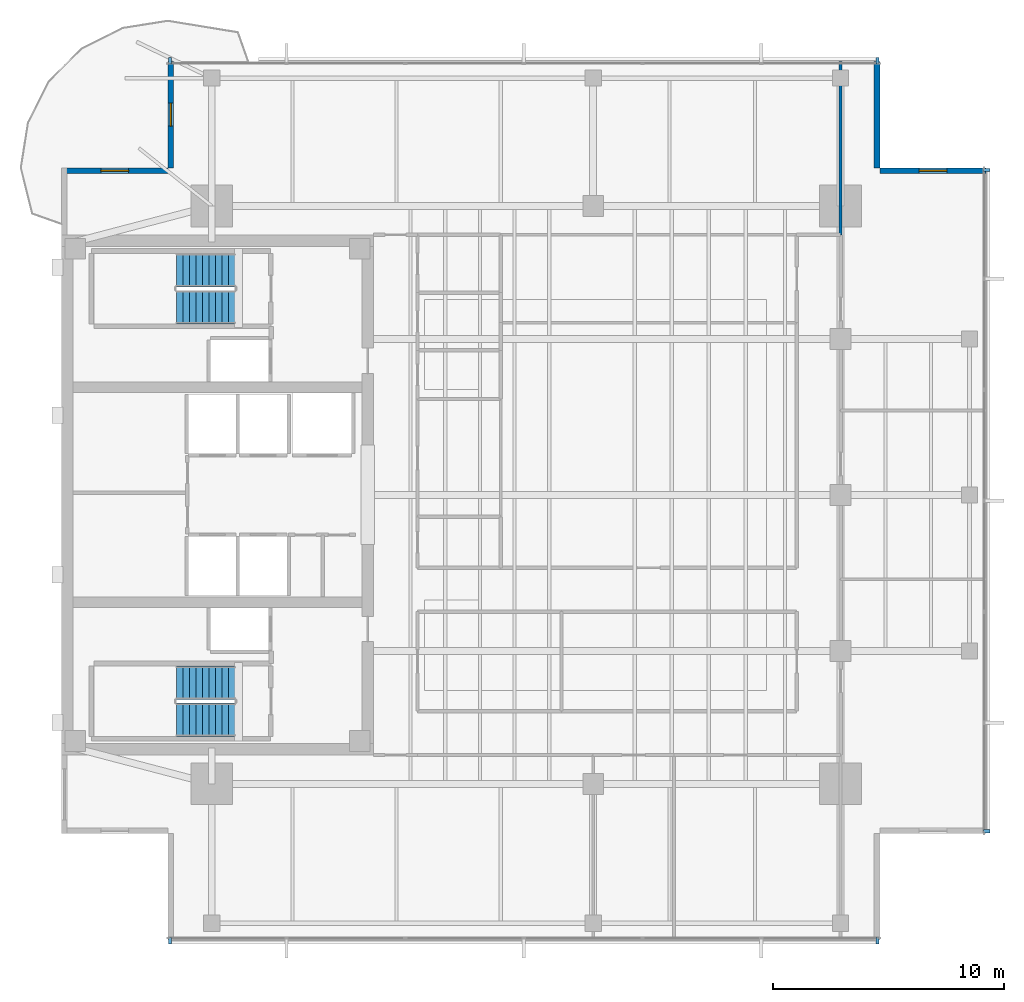
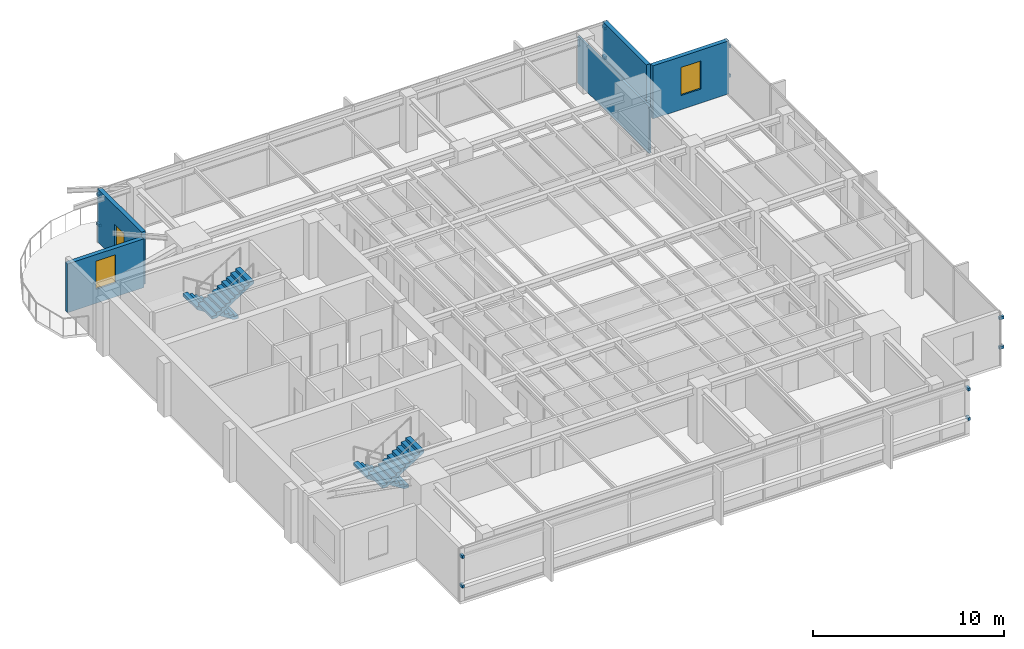
# One storey, part 10 of 14: 12 discrete accessories, 5 walls, 4 stair flights, 2 windows, 1 door, 3 openings, 2 elements without a shape of their own.
"""IFC4 building model written with IfcOpenShell, lengths in metres."""

from ifc_helpers import new_model, si_unit, direction, frame, frame_2d, origin, origin_2d, place, context, subcontext, project, spatial, polyline, rectangle, outline, extrude, material, layer, layer_set, type_object, element, fill, aggregate, save


model = new_model("IFC4")

# Units and contexts
model_context = context("Model", 3, precision=1e-05, world=origin(), true_north=direction((0.0, 1.0)))
body_context = subcontext(model_context, "Body", "Model", "MODEL_VIEW")
ifc_project = project(units=[si_unit("LENGTHUNIT", "METRE"), si_unit("AREAUNIT", "SQUARE_METRE"), si_unit("VOLUMEUNIT", "CUBIC_METRE"), si_unit("PLANEANGLEUNIT", "RADIAN"), si_unit("MASSUNIT", "GRAM", prefix="KILO")], contexts=[model_context])

# Site, building, storey
site_placement = place(None, origin())
site = spatial("IfcSite", under=ifc_project, at=site_placement, CompositionType="ELEMENT")
building_placement = place(site_placement, origin())
building = spatial("IfcBuilding", under=site, at=building_placement, Name="Kinhvarn Gate Tower", CompositionType="ELEMENT")
storey_placement = place(building_placement, frame((0.0, 0.0, 270.550048828125)))
storey = spatial("IfcBuildingStorey", under=building, at=storey_placement, Name="L72", CompositionType="ELEMENT", Elevation=270.550048828125)

# Wall, opening, window
ifc_material_1 = material(Name="Fired architectural terracotta", Category="masonry")
ifc_layer_1 = layer(ifc_material_1, 0.25)
ifc_layer_set_1 = layer_set([ifc_layer_1], Name="Fired architectural terracotta")
wall_type_1 = type_object("IfcWallType", Name="WL-EXT-250", PredefinedType="SOLIDWALL", material=ifc_layer_set_1)
wall_1_placement = place(storey_placement, frame((44.5, 39.27490234375, 0.0), z_axis=(0.0, 0.0, 1.0), x_axis=(-1.0, 0.0, 0.0)))
wall_1 = element("IfcWall", 1, at=wall_1_placement, inside=storey, type_object=wall_type_1, Name="Exterior Solidwall Wall EW-250 (L72 NE-Notch-1)", PredefinedType="SOLIDWALL", context=body_context, shape_type="SweptSolid", body=[
    extrude(rectangle(XDim=4.60009765625, YDim=0.25, at=frame_2d((2.300048828125, 0.0))), origin(), (0.0, 0.0, 1.0), 3.389892578125),
])
opening_1_placement = place(wall_1_placement, frame((1.699951171875, 0.0, 0.89990234375)))
opening_1 = element("IfcOpeningElement", 2, at=opening_1_placement, cuts=wall_1, Name="Opening WN-02", PredefinedType="OPENING", context=body_context, shape_type="SweptSolid", body=[
    extrude(rectangle(XDim=1.199951171875, YDim=1.800048828125, at=frame_2d((0.60009765625, 0.89990234375))), frame((0.0, 0.135009765625, 0.0), z_axis=(0.0, -1.0, 0.0), x_axis=(1.0, 0.0, 0.0)), (0.0, 0.0, 1.0), 0.27001953125),
])
ifc_material_2 = material(Name="Clear low-e double glazing", Category="glass")
window_type = type_object("IfcWindowType", Name="WIN-NTC-1200", PartitioningType="SINGLE_PANEL", PredefinedType="WINDOW", material=ifc_material_2)
window_1_placement = place(opening_1_placement, origin())
window_1 = element("IfcWindow", 3, at=window_1_placement, inside=storey, type_object=window_type, Name="Recessed Corner Notch Punched Window 1200x1800 mm (L72)", OverallHeight=1.800048828125, OverallWidth=1.199951171875, PartitioningType="SINGLE_PANEL", PredefinedType="WINDOW", context=body_context, shape_type="SweptSolid", body=[
    extrude(rectangle(XDim=1.199951171875, YDim=1.800048828125, at=frame_2d((0.60009765625, 0.89990234375))), frame((0.0, 0.030029296875, 0.0), z_axis=(0.0, -1.0, 0.0), x_axis=(1.0, 0.0, 0.0)), (0.0, 0.0, 1.0), 0.06005859375),
])
fill(opening_1, window_1)

# Wall
wall_2_placement = place(storey_placement, frame((39.77490234375, 39.39990234375, 0.0), z_axis=(0.0, 0.0, 1.0), x_axis=(0.0, 1.0, 0.0)))
element("IfcWall", 4, at=wall_2_placement, inside=storey, type_object=wall_type_1, Name="Exterior Solidwall Wall EW-250 (L72 NE-Notch-2)", PredefinedType="SOLIDWALL", context=body_context, shape_type="SweptSolid", body=[
    extrude(rectangle(XDim=4.60009765625, YDim=0.25, at=frame_2d((2.300048828125, 0.0))), origin(), (0.0, 0.0, 1.0), 3.389892578125),
])

# Wall, opening, door
wall_3_placement = place(storey_placement, frame((9.22509765625, 44.0, 0.0), z_axis=(0.0, 0.0, 1.0), x_axis=(0.0, -1.0, 0.0)))
wall_3 = element("IfcWall", 5, at=wall_3_placement, inside=storey, type_object=wall_type_1, Name="Exterior Solidwall Wall EW-250 (L72 NW-Notch-Door)", PredefinedType="SOLIDWALL", context=body_context, shape_type="SweptSolid", body=[
    extrude(rectangle(XDim=4.60009765625, YDim=0.25, at=frame_2d((2.300048828125, 0.0))), origin(), (0.0, 0.0, 1.0), 3.389892578125),
])
opening_2_placement = place(wall_3_placement, frame((1.800048828125, 0.0, 0.0)))
opening_2 = element("IfcOpeningElement", 6, at=opening_2_placement, cuts=wall_3, Name="Opening BD-01", PredefinedType="OPENING", context=body_context, shape_type="SweptSolid", body=[
    extrude(rectangle(XDim=1.0, YDim=2.199951171875, at=frame_2d((0.5, 1.10009765625))), frame((0.0, 0.135009765625, 0.0), z_axis=(0.0, -1.0, 0.0), x_axis=(1.0, 0.0, 0.0)), (0.0, 0.0, 1.0), 0.27001953125),
])
door_type = type_object("IfcDoorType", Name="DR-BAL-1000", OperationType="NOTDEFINED", PredefinedType="DOOR", material=ifc_material_2)
door_placement = place(opening_2_placement, frame((1.0, 0.0, 0.0), z_axis=(0.0, 0.0, 1.0), x_axis=(-1.0, 0.0, 0.0)))
door = element("IfcDoor", 7, at=door_placement, inside=storey, type_object=door_type, Name="S-Carve Balcony Door BD-01 (L72)", OperationType="SINGLE_SWING_RIGHT", OverallHeight=2.199951171875, OverallWidth=1.0, PredefinedType="DOOR", context=body_context, shape_type="SweptSolid", body=[
    extrude(rectangle(XDim=1.0, YDim=2.199951171875, at=frame_2d((0.5, 1.10009765625))), frame((0.0, 0.02490234375, 0.0), z_axis=(0.0, -1.0, 0.0), x_axis=(1.0, 0.0, 0.0)), (0.0, 0.0, 1.0), 0.050048828125),
])
fill(opening_2, door)

# Wall, opening, window
wall_4_placement = place(storey_placement, frame((9.10009765625, 39.27490234375, 0.0), z_axis=(0.0, 0.0, 1.0), x_axis=(-1.0, 0.0, 0.0)))
wall_4 = element("IfcWall", 8, at=wall_4_placement, inside=storey, type_object=wall_type_1, Name="Exterior Solidwall Wall EW-250 (L72 NW-Notch-Win)", PredefinedType="SOLIDWALL", context=body_context, shape_type="SweptSolid", body=[
    extrude(rectangle(XDim=4.60009765625, YDim=0.25, at=frame_2d((2.300048828125, 0.0))), origin(), (0.0, 0.0, 1.0), 3.119873046875),
])
opening_3_placement = place(wall_4_placement, frame((1.699951171875, 0.0, 0.89990234375)))
opening_3 = element("IfcOpeningElement", 9, at=opening_3_placement, cuts=wall_4, Name="Opening WN-02", PredefinedType="OPENING", context=body_context, shape_type="SweptSolid", body=[
    extrude(rectangle(XDim=1.199951171875, YDim=1.800048828125, at=frame_2d((0.60009765625, 0.89990234375))), frame((0.0, 0.135009765625, 0.0), z_axis=(0.0, -1.0, 0.0), x_axis=(1.0, 0.0, 0.0)), (0.0, 0.0, 1.0), 0.27001953125),
])
window_2_placement = place(opening_3_placement, origin())
window_2 = element("IfcWindow", 10, at=window_2_placement, inside=storey, type_object=window_type, Name="Recessed Corner Notch Punched Window 1200x1800 mm (L72)", OverallHeight=1.800048828125, OverallWidth=1.199951171875, PartitioningType="SINGLE_PANEL", PredefinedType="WINDOW", context=body_context, shape_type="SweptSolid", body=[
    extrude(rectangle(XDim=1.199951171875, YDim=1.800048828125, at=frame_2d((0.60009765625, 0.89990234375))), frame((0.0, 0.030029296875, 0.0), z_axis=(0.0, -1.0, 0.0), x_axis=(1.0, 0.0, 0.0)), (0.0, 0.0, 1.0), 0.06005859375),
])
fill(opening_3, window_2)

# Wall
ifc_material_3 = material(Name="Gypsum acoustic partition board")
ifc_layer_2 = layer(ifc_material_3, 0.1201171875)
ifc_layer_set_2 = layer_set([ifc_layer_2], Name="Gypsum acoustic partition board")
wall_type_2 = type_object("IfcWallType", Name="WL-PRT-120", PredefinedType="PARTITIONING", material=ifc_layer_set_2)
wall_5_placement = place(storey_placement, frame((38.199951171875, 36.5, 0.0), z_axis=(0.0, 0.0, 1.0), x_axis=(0.0, 1.0, 0.0)))
element("IfcWall", 11, at=wall_5_placement, inside=storey, type_object=wall_type_2, Name="Interior Partition PW-120 (L72)", PredefinedType="PARTITIONING", context=body_context, shape_type="SweptSolid", body=[
    extrude(rectangle(XDim=7.489990234375, YDim=0.1201171875, at=frame_2d((3.7451171875, 0.0))), origin(), (0.0, 0.0, 1.0), 2.989990234375),
])

# Stair, stair flights
ifc_material_4 = material(Name="Concrete C40/50", Category="concrete")
stair_type = type_object("IfcStairType", Name="STR-DLG-178", PredefinedType="HALF_TURN_STAIR", material=ifc_material_4)
stair_1_placement = place(storey_placement, origin())
stair_1 = element("IfcStair", 12, at=stair_1_placement, inside=storey, type_object=stair_type, Name="L72 Core Smokeproof Exit Stair ST1", PredefinedType="HALF_TURN_STAIR")
stair_flight_type = type_object("IfcStairFlightType", Name="STF-DLG-178", PredefinedType="STRAIGHT", material=ifc_material_4)
stair_flight_1_placement = place(storey_placement, frame((12.0, 17.125, 0.0), z_axis=(0.0, 0.0, 1.0), x_axis=(-1.0, 0.0, 0.0)))
stair_flight_1 = element("IfcStairFlight", 13, at=stair_flight_1_placement, type_object=stair_flight_type, Name="ST1 flight 1", NumberOfRisers=10, NumberOfTreads=9, PredefinedType="STRAIGHT", RiserHeight=0.1775, TreadLength=0.28, context=body_context, shape_type="SweptSolid", body=[
    extrude(outline(polyline([(0.0, 0.0), (0.0, 0.177490234375), (0.280029296875, 0.177490234375), (0.280029296875, 0.35498046875), (0.56005859375, 0.35498046875), (0.56005859375, 0.532470703125), (0.840087890625, 0.532470703125), (0.840087890625, 0.7099609375), (1.1201171875, 0.7099609375), (1.1201171875, 0.887451171875), (1.39990234375, 0.887451171875), (1.39990234375, 1.06494140625), (1.679931640625, 1.06494140625), (1.679931640625, 1.242431640625), (1.9599609375, 1.242431640625), (1.9599609375, 1.419921875), (2.239990234375, 1.419921875), (2.239990234375, 1.597412109375), (2.52001953125, 1.597412109375), (2.52001953125, 1.77490234375), (2.52001953125, 1.419921875), (0.280029296875, 0.0), (0.0, 0.0)])), frame((0.0, 0.72509765625, 0.0), z_axis=(0.0, -1.0, 0.0), x_axis=(1.0, 0.0, 0.0)), (0.0, 0.0, 1.0), 1.449951171875),
])
stair_flight_2_placement = place(storey_placement, frame((9.47998046875, 15.52490234375, 1.77490234375), z_axis=(0.0, 0.0, 1.0), x_axis=(1.0, 0.0, 0.0)))
stair_flight_2 = element("IfcStairFlight", 14, at=stair_flight_2_placement, type_object=stair_flight_type, Name="ST1 flight 2", NumberOfRisers=10, NumberOfTreads=9, PredefinedType="STRAIGHT", RiserHeight=0.1775, TreadLength=0.28, context=body_context, shape_type="SweptSolid", body=[
    extrude(outline(polyline([(0.0, 0.0), (0.0, 0.177490234375), (0.280029296875, 0.177490234375), (0.280029296875, 0.35498046875), (0.56005859375, 0.35498046875), (0.56005859375, 0.532470703125), (0.840087890625, 0.532470703125), (0.840087890625, 0.7099609375), (1.1201171875, 0.7099609375), (1.1201171875, 0.887451171875), (1.39990234375, 0.887451171875), (1.39990234375, 1.06494140625), (1.679931640625, 1.06494140625), (1.679931640625, 1.242431640625), (1.9599609375, 1.242431640625), (1.9599609375, 1.419921875), (2.239990234375, 1.419921875), (2.239990234375, 1.597412109375), (2.52001953125, 1.597412109375), (2.52001953125, 1.77490234375), (2.52001953125, 1.419921875), (0.280029296875, 0.0), (0.0, 0.0)])), frame((0.0, 0.72509765625, 0.0), z_axis=(0.0, -1.0, 0.0), x_axis=(1.0, 0.0, 0.0)), (0.0, 0.0, 1.0), 1.449951171875),
])
aggregate(stair_1, [stair_flight_1, stair_flight_2])

stair_2_placement = place(storey_placement, origin())
stair_2 = element("IfcStair", 15, at=stair_2_placement, inside=storey, type_object=stair_type, Name="L72 Core Smokeproof Exit Stair ST2", PredefinedType="HALF_TURN_STAIR")
stair_flight_3_placement = place(storey_placement, frame((12.0, 34.97509765625, 0.0), z_axis=(0.0, 0.0, 1.0), x_axis=(-1.0, 0.0, 0.0)))
stair_flight_3 = element("IfcStairFlight", 16, at=stair_flight_3_placement, type_object=stair_flight_type, Name="ST2 flight 1", NumberOfRisers=10, NumberOfTreads=9, PredefinedType="STRAIGHT", RiserHeight=0.1775, TreadLength=0.28, context=body_context, shape_type="SweptSolid", body=[
    extrude(outline(polyline([(0.0, 0.0), (0.0, 0.177490234375), (0.280029296875, 0.177490234375), (0.280029296875, 0.35498046875), (0.56005859375, 0.35498046875), (0.56005859375, 0.532470703125), (0.840087890625, 0.532470703125), (0.840087890625, 0.7099609375), (1.1201171875, 0.7099609375), (1.1201171875, 0.887451171875), (1.39990234375, 0.887451171875), (1.39990234375, 1.06494140625), (1.679931640625, 1.06494140625), (1.679931640625, 1.242431640625), (1.9599609375, 1.242431640625), (1.9599609375, 1.419921875), (2.239990234375, 1.419921875), (2.239990234375, 1.597412109375), (2.52001953125, 1.597412109375), (2.52001953125, 1.77490234375), (2.52001953125, 1.419921875), (0.280029296875, 0.0), (0.0, 0.0)])), frame((0.0, 0.72509765625, 0.0), z_axis=(0.0, -1.0, 0.0), x_axis=(1.0, 0.0, 0.0)), (0.0, 0.0, 1.0), 1.449951171875),
])
stair_flight_4_placement = place(storey_placement, frame((9.47998046875, 33.375, 1.77490234375), z_axis=(0.0, 0.0, 1.0), x_axis=(1.0, 0.0, 0.0)))
stair_flight_4 = element("IfcStairFlight", 17, at=stair_flight_4_placement, type_object=stair_flight_type, Name="ST2 flight 2", NumberOfRisers=10, NumberOfTreads=9, PredefinedType="STRAIGHT", RiserHeight=0.1775, TreadLength=0.28, context=body_context, shape_type="SweptSolid", body=[
    extrude(outline(polyline([(0.0, 0.0), (0.0, 0.177490234375), (0.280029296875, 0.177490234375), (0.280029296875, 0.35498046875), (0.56005859375, 0.35498046875), (0.56005859375, 0.532470703125), (0.840087890625, 0.532470703125), (0.840087890625, 0.7099609375), (1.1201171875, 0.7099609375), (1.1201171875, 0.887451171875), (1.39990234375, 0.887451171875), (1.39990234375, 1.06494140625), (1.679931640625, 1.06494140625), (1.679931640625, 1.242431640625), (1.9599609375, 1.242431640625), (1.9599609375, 1.419921875), (2.239990234375, 1.419921875), (2.239990234375, 1.597412109375), (2.52001953125, 1.597412109375), (2.52001953125, 1.77490234375), (2.52001953125, 1.419921875), (0.280029296875, 0.0), (0.0, 0.0)])), frame((0.0, 0.72509765625, 0.0), z_axis=(0.0, -1.0, 0.0), x_axis=(1.0, 0.0, 0.0)), (0.0, 0.0, 1.0), 1.449951171875),
])
aggregate(stair_2, [stair_flight_3, stair_flight_4])

# Discrete accessories
ifc_material_5 = material(Name="Anodised aluminium AW-6063", Category="aluminium")
discrete_accessory_type = type_object("IfcDiscreteAccessoryType", Name="ACC-BRK-01", PredefinedType="BRACKET", material=ifc_material_5)
for number, where, z_axis, x_axis, name in (
    (18, (9.199951171875, 5.969970703125, 0.9599609375), (0.0, 0.0, 1.0), (1.0, 0.0, 0.0), "Baguette Support Bracket BK-01 (L72)"),
    (19, (9.199951171875, 5.969970703125, 2.85009765625), (0.0, 0.0, 1.0), (1.0, 0.0, 0.0), "Baguette Support Bracket BK-01 (L72)"),
    (20, (39.800048828125, 5.969970703125, 0.9599609375), (0.0, 0.0, 1.0), (1.0, 0.0, 0.0), "Baguette Support Bracket BK-01 (L72)"),
    (21, (39.800048828125, 5.969970703125, 2.85009765625), (0.0, 0.0, 1.0), (1.0, 0.0, 0.0), "Baguette Support Bracket BK-01 (L72)"),
    (22, (39.800048828125, 44.030029296875, 0.9599609375), (0.0, 0.0, 1.0), (-1.0, 0.0, 0.0), "Baguette Support Bracket BK-01 (L72)"),
    (23, (39.800048828125, 44.030029296875, 2.85009765625), (0.0, 0.0, 1.0), (-1.0, 0.0, 0.0), "Baguette Support Bracket BK-01 (L72)"),
    (24, (9.199951171875, 44.030029296875, 0.9599609375), (0.0, 0.0, 1.0), (-1.0, 0.0, 0.0), "Baguette Support Bracket BK-01 (L72)"),
    (25, (9.199951171875, 44.030029296875, 2.85009765625), (0.0, 0.0, 1.0), (-1.0, 0.0, 0.0), "Baguette Support Bracket BK-01 (L72)"),
    (26, (44.530029296875, 10.699951171875, 0.9599609375), (0.0, 0.0, 1.0), (0.0, 1.0, 0.0), "Baguette Support Bracket BK-01 (L72)"),
    (27, (44.530029296875, 10.699951171875, 2.85009765625), (0.0, 0.0, 1.0), (0.0, 1.0, 0.0), "Baguette Support Bracket BK-01 (L72)"),
    (28, (44.530029296875, 39.300048828125, 0.9599609375), (0.0, 0.0, 1.0), (0.0, 1.0, 0.0), "Baguette Support Bracket BK-01 (L72)"),
    (29, (44.530029296875, 39.300048828125, 2.85009765625), (0.0, 0.0, 1.0), (0.0, 1.0, 0.0), "Baguette Support Bracket BK-01 (L72)"),
):
    element("IfcDiscreteAccessory", number, at=place(storey_placement, frame(where, z_axis=z_axis, x_axis=x_axis)), inside=storey, type_object=discrete_accessory_type, Name=name, PredefinedType="BRACKET", context=body_context, shape_type="SweptSolid", body=[
        extrude(rectangle(XDim=0.139892578125, YDim=0.280029296875, at=origin_2d()), origin(), (0.0, 0.0, 1.0), 0.179931640625),
    ])

save(model, "model.ifc")
